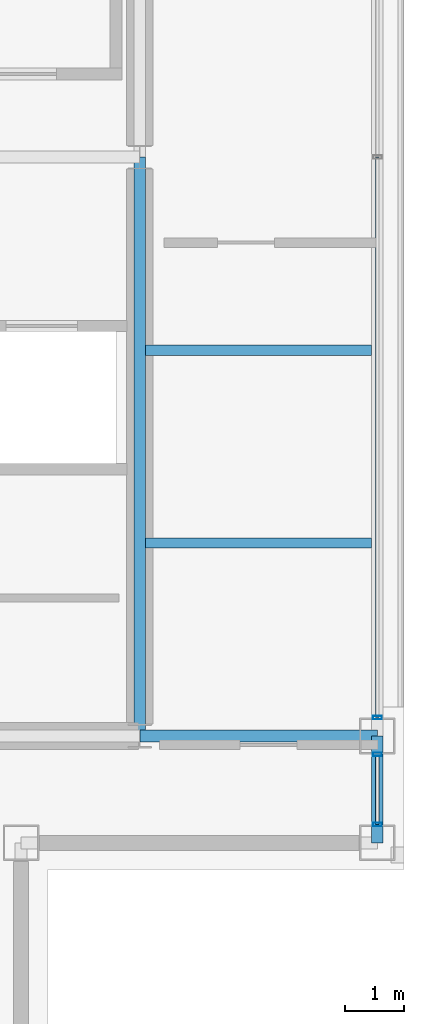
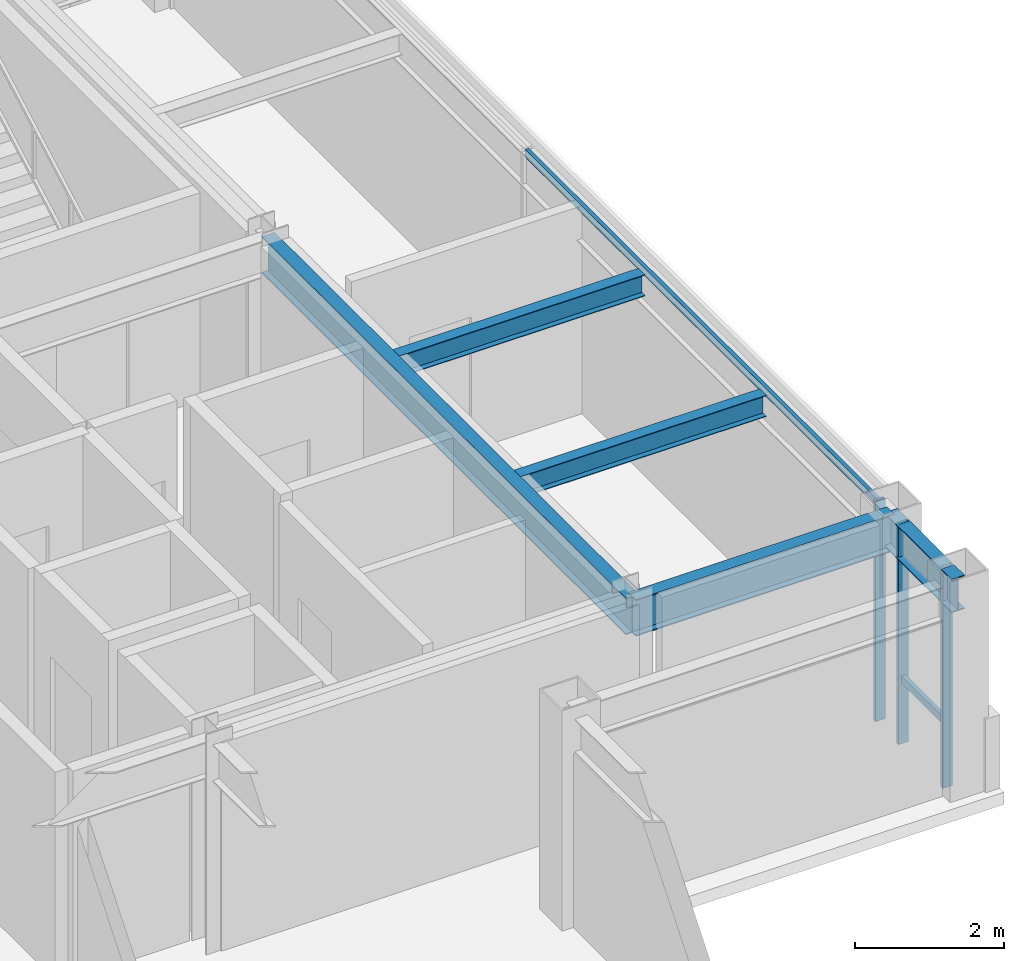
# One storey, part 10 of 20: 5 beams, 5 members, 2 elements without a shape of their own.
"""IFC4 building model written with IfcOpenShell, lengths in metres."""

from ifc_helpers import new_model, si_unit, direction, frame, origin, origin_2d, place, context, subcontext, project, spatial, hollow_rectangle, i_section, extrude, material, layer, layer_set, material_profile, profile_set, type_object, element, aggregate, save


model = new_model("IFC4")

# Units and contexts
model_context = context("Model", 3, precision=1e-05, world=origin(), true_north=direction((0.0, 1.0)))
body_context = subcontext(model_context, "Body", "Model", "MODEL_VIEW")
ifc_project = project(units=[si_unit("LENGTHUNIT", "METRE"), si_unit("AREAUNIT", "SQUARE_METRE"), si_unit("VOLUMEUNIT", "CUBIC_METRE"), si_unit("PLANEANGLEUNIT", "RADIAN"), si_unit("MASSUNIT", "GRAM", prefix="KILO")], contexts=[model_context])

# Site, building, storey
site_placement = place(None, origin())
site = spatial("IfcSite", under=ifc_project, at=site_placement, CompositionType="ELEMENT")
building_placement = place(site_placement, origin())
building = spatial("IfcBuilding", under=site, at=building_placement, Name="Brelmoor Portico Tower", CompositionType="ELEMENT")
storey_placement = place(building_placement, frame((0.0, 0.0, 272.39990234375)))
storey = spatial("IfcBuildingStorey", under=building, at=storey_placement, Name="L72", CompositionType="ELEMENT", Elevation=272.39990234375)

# Beams
ifc_material_1 = material(Name="Steel Q355B", Category="steel")
ifc_material_profile_1 = material_profile(ifc_material_1, i_section(OverallWidth=0.175048828125, OverallDepth=0.35009765625, WebThickness=0.007080078125, FlangeThickness=0.010986328125, at=origin_2d()), Name="HN 350x175x7x11")
ifc_profile_set_1 = profile_set([ifc_material_profile_1], Name="Steel Q355B")
beam_type_1 = type_object("IfcBeamType", Name="BM-JS-350", PredefinedType="JOIST", material=ifc_profile_set_1)
for number, where, z_axis, x_axis, name in (
    (1, (14.64990234375, -6.5, 3.22509765625), (1.0, 0.0, 0.0), (0.0, 1.0, 0.0), "L72 Secondary Wing Joist JS-E11"),
    (2, (14.64990234375, -3.25, 3.22509765625), (1.0, 0.0, 0.0), (0.0, 1.0, 0.0), "L72 Secondary Wing Joist JS-E12"),
):
    element("IfcBeam", number, at=place(storey_placement, frame(where, z_axis=z_axis, x_axis=x_axis)), inside=storey, type_object=beam_type_1, Name=name, PredefinedType="JOIST", context=body_context, shape_type="SweptSolid", body=[
        extrude(i_section(OverallWidth=0.175048828125, OverallDepth=0.35009765625, WebThickness=0.007080078125, FlangeThickness=0.010986328125, at=origin_2d()), origin(), (0.0, 0.0, 1.0), 3.800048828125),
    ])
ifc_material_profile_2 = material_profile(ifc_material_1, i_section(OverallWidth=0.199951171875, OverallDepth=0.60009765625, WebThickness=0.010986328125, FlangeThickness=0.01708984375, at=origin_2d()), Name="HN 600x200x11x17")
ifc_profile_set_2 = profile_set([ifc_material_profile_2], Name="Steel Q355B")
beam_type_2 = type_object("IfcBeamType", Name="BM-PG-600", PredefinedType="BEAM", material=ifc_profile_set_2)
beam_1_placement = place(storey_placement, frame((14.550048828125, -9.75, 3.10009765625), z_axis=(0.0, 1.0, 0.0), x_axis=(-1.0, 0.0, 0.0)))
element("IfcBeam", 3, at=beam_1_placement, inside=storey, type_object=beam_type_2, Name="L72 Primary Floor Girder PG-09", PredefinedType="BEAM", context=body_context, shape_type="SweptSolid", body=[
    extrude(i_section(OverallWidth=0.199951171875, OverallDepth=0.60009765625, WebThickness=0.010986328125, FlangeThickness=0.01708984375, at=origin_2d()), origin(), (0.0, 0.0, 1.0), 9.75),
])
beam_2_placement = place(storey_placement, frame((14.550048828125, -9.75, 3.10009765625), z_axis=(1.0, 0.0, 0.0), x_axis=(0.0, 1.0, 0.0)))
element("IfcBeam", 4, at=beam_2_placement, inside=storey, type_object=beam_type_2, Name="L72 Primary Floor Girder PG-15", PredefinedType="BEAM", context=body_context, shape_type="SweptSolid", body=[
    extrude(i_section(OverallWidth=0.199951171875, OverallDepth=0.60009765625, WebThickness=0.010986328125, FlangeThickness=0.01708984375, at=origin_2d()), origin(), (0.0, 0.0, 1.0), 4.0),
])
ifc_material_profile_3 = material_profile(ifc_material_1, i_section(OverallWidth=0.199951171875, OverallDepth=0.550048828125, WebThickness=0.010009765625, FlangeThickness=0.01611328125, at=origin_2d()), Name="HN 550x200x10x16")
ifc_profile_set_3 = profile_set([ifc_material_profile_3], Name="Steel Q355B")
beam_type_3 = type_object("IfcBeamType", Name="BM-SP-550", PredefinedType="SPANDREL", material=ifc_profile_set_3)
beam_3_placement = place(storey_placement, frame((18.550048828125, -11.550048828125, 3.125), z_axis=(0.0, 1.0, 0.0), x_axis=(-1.0, 0.0, 0.0)))
element("IfcBeam", 5, at=beam_3_placement, inside=storey, type_object=beam_type_3, Name="L72 Perimeter Spandrel Beam SP-18", PredefinedType="SPANDREL", context=body_context, shape_type="SweptSolid", body=[
    extrude(i_section(OverallWidth=0.199951171875, OverallDepth=0.550048828125, WebThickness=0.010009765625, FlangeThickness=0.01611328125, at=origin_2d()), origin(), (0.0, 0.0, 1.0), 1.800048828125),
])

# Curtain wall, members
ifc_material_2 = material(Name="Anodised Aluminium Alloy 6063-T6", Category="aluminium")
ifc_layer_1 = layer(ifc_material_2, 0.179931640625)
ifc_layer_set_1 = layer_set([ifc_layer_1], Name="Anodised Aluminium Alloy 6063-T6")
curtain_wall_type_1 = type_object("IfcCurtainWallType", Name="CW-TOWER-Z4", PredefinedType="NOTDEFINED", material=ifc_layer_set_1)
curtain_wall_1_placement = place(storey_placement, origin())
curtain_wall_1 = element("IfcCurtainWall", 6, at=curtain_wall_1_placement, inside=storey, type_object=curtain_wall_type_1, Name="L72 Curtain Wall CW-L72-04-1", PredefinedType="NOTDEFINED")
ifc_material_profile_4 = material_profile(ifc_material_2, hollow_rectangle(XDim=0.06005859375, YDim=0.14990234375, WallThickness=0.00390625, at=origin_2d()), Name="ALU MULLION 60x150")
ifc_profile_set_4 = profile_set([ifc_material_profile_4], Name="Anodised Aluminium Alloy 6063-T6")
member_type_1 = type_object("IfcMemberType", Name="MB-CW-MULL-150", PredefinedType="MULLION", material=ifc_profile_set_4)
member_1_placement = place(storey_placement, frame((18.550048828125, -11.239990234375, -0.199951171875), z_axis=(0.0, 0.0, 1.0), x_axis=(0.0, 1.0, 0.0)))
member_1 = element("IfcMember", 7, at=member_1_placement, type_object=member_type_1, Name="CW-L72-04-1 Mullion 00", PredefinedType="MULLION", context=body_context, shape_type="SweptSolid", body=[
    extrude(hollow_rectangle(XDim=0.06005859375, YDim=0.14990234375, WallThickness=0.00390625, at=origin_2d()), origin(), (0.0, 0.0, 1.0), 3.60009765625),
])
member_2_placement = place(storey_placement, frame((18.550048828125, -10.06005859375, -0.199951171875), z_axis=(0.0, 0.0, 1.0), x_axis=(0.0, 1.0, 0.0)))
member_2 = element("IfcMember", 8, at=member_2_placement, type_object=member_type_1, Name="CW-L72-04-1 Mullion 01", PredefinedType="MULLION", context=body_context, shape_type="SweptSolid", body=[
    extrude(hollow_rectangle(XDim=0.06005859375, YDim=0.14990234375, WallThickness=0.00390625, at=origin_2d()), origin(), (0.0, 0.0, 1.0), 3.60009765625),
])

# Curtain wall, member
ifc_layer_2 = layer(ifc_material_2, 0.179931640625)
ifc_layer_set_2 = layer_set([ifc_layer_2], Name="Anodised Aluminium Alloy 6063-T6")
curtain_wall_type_2 = type_object("IfcCurtainWallType", Name="CW-TOWER-Z4-XB", PredefinedType="NOTDEFINED", material=ifc_layer_set_2)
curtain_wall_2_placement = place(storey_placement, origin())
curtain_wall_2 = element("IfcCurtainWall", 9, at=curtain_wall_2_placement, inside=storey, type_object=curtain_wall_type_2, Name="L72 Curtain Wall CW-L72-04-2", PredefinedType="NOTDEFINED")
member_3_placement = place(storey_placement, frame((18.550048828125, -9.43994140625, -0.199951171875), z_axis=(0.0, 0.0, 1.0), x_axis=(0.0, 1.0, 0.0)))
member_3 = element("IfcMember", 10, at=member_3_placement, type_object=member_type_1, Name="CW-L72-04-2 Mullion 00", PredefinedType="MULLION", context=body_context, shape_type="SweptSolid", body=[
    extrude(hollow_rectangle(XDim=0.06005859375, YDim=0.14990234375, WallThickness=0.00390625, at=origin_2d()), origin(), (0.0, 0.0, 1.0), 3.60009765625),
])

# Member
ifc_material_profile_5 = material_profile(ifc_material_2, hollow_rectangle(XDim=0.06005859375, YDim=0.125, WallThickness=0.00341796875, at=origin_2d()), Name="ALU TRANSOM 60x125")
ifc_profile_set_5 = profile_set([ifc_material_profile_5], Name="Anodised Aluminium Alloy 6063-T6")
member_type_2 = type_object("IfcMemberType", Name="MB-CW-TRAN-125", PredefinedType="USERDEFINED", material=ifc_profile_set_5)
member_4_placement = place(storey_placement, frame((18.550048828125, -11.239990234375, 0.85009765625), z_axis=(0.0, 1.0, 0.0), x_axis=(-1.0, 0.0, 0.0)))
member_4 = element("IfcMember", 11, at=member_4_placement, type_object=member_type_2, Name="CW-L72-04-1 Transom 1-00", ObjectType="TRANSOM", PredefinedType="USERDEFINED", context=body_context, shape_type="SweptSolid", body=[
    extrude(hollow_rectangle(XDim=0.06005859375, YDim=0.125, WallThickness=0.00341796875, at=origin_2d()), origin(), (0.0, 0.0, 1.0), 1.179931640625),
])

aggregate(curtain_wall_1, [member_1, member_2, member_4])

member_5_placement = place(storey_placement, frame((18.550048828125, -9.43994140625, 3.337646484375), z_axis=(0.0, 1.0, 0.0), x_axis=(-1.0, 0.0, 0.0)))
member_5 = element("IfcMember", 12, at=member_5_placement, type_object=member_type_2, Name="CW-L72-04-2 Transom 1-00", ObjectType="TRANSOM", PredefinedType="USERDEFINED", context=body_context, shape_type="SweptSolid", body=[
    extrude(hollow_rectangle(XDim=0.06005859375, YDim=0.125, WallThickness=0.00341796875, at=origin_2d()), origin(), (0.0, 0.0, 1.0), 9.43994140625),
])

aggregate(curtain_wall_2, [member_3, member_5])

save(model, "model.ifc")
